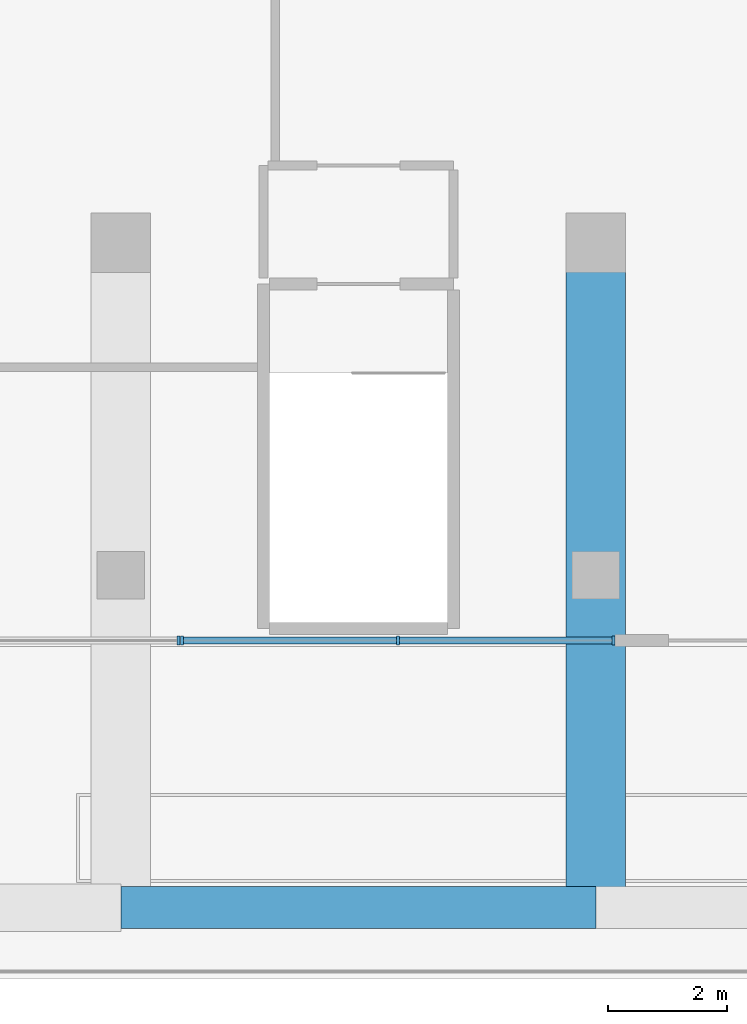
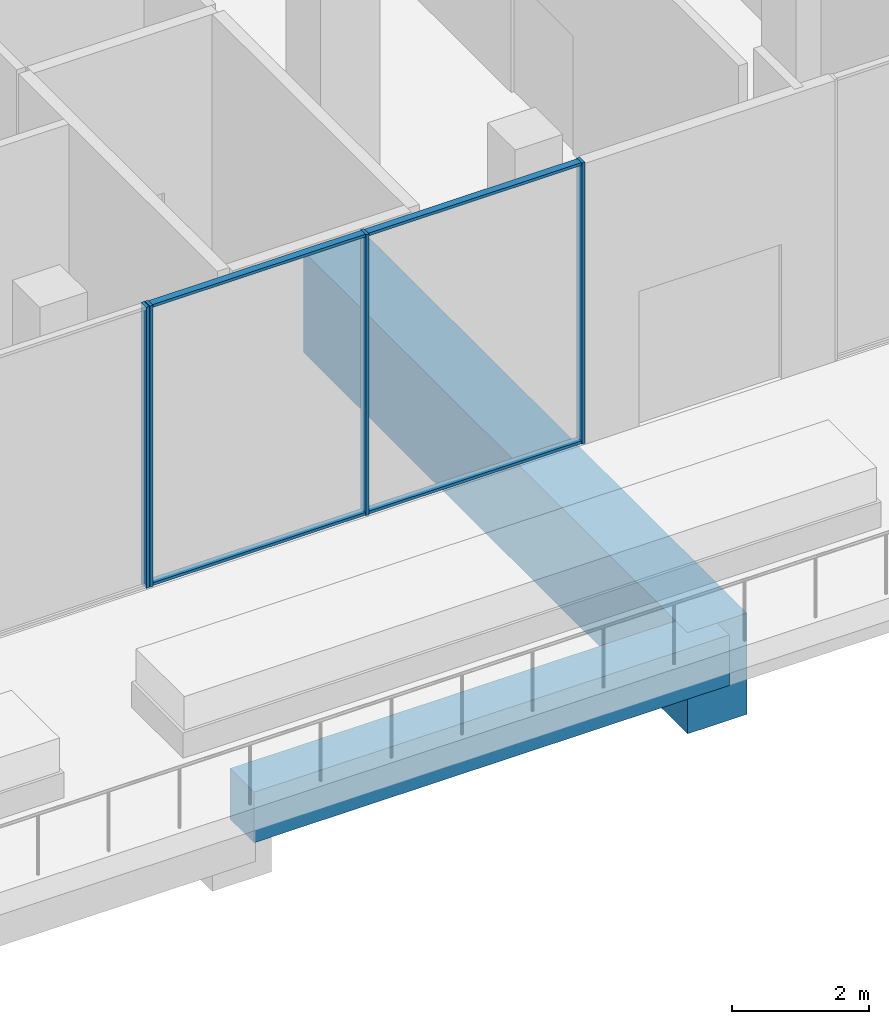
# One storey, part 3 of 29: 8 members, 2 beams, 2 elements without a shape of their own.
"""IFC4 building model written with IfcOpenShell, lengths in metres."""

from ifc_helpers import new_model, si_unit, direction, frame, origin, origin_2d, place, context, subcontext, project, spatial, rectangle, extrude, material, layer, layer_set, material_profile, profile_set, type_object, element, aggregate, save


model = new_model("IFC4")

# Units and contexts
model_context = context("Model", 3, precision=1e-05, world=origin(), true_north=direction((0.0, 1.0)))
body_context = subcontext(model_context, "Body", "Model", "MODEL_VIEW")
ifc_project = project(units=[si_unit("LENGTHUNIT", "METRE"), si_unit("AREAUNIT", "SQUARE_METRE"), si_unit("VOLUMEUNIT", "CUBIC_METRE"), si_unit("PLANEANGLEUNIT", "RADIAN"), si_unit("MASSUNIT", "GRAM", prefix="KILO")], contexts=[model_context])

# Site, building, storey
site_placement = place(None, origin())
site = spatial("IfcSite", under=ifc_project, at=site_placement, CompositionType="ELEMENT")
building_placement = place(site_placement, origin())
building = spatial("IfcBuilding", under=site, at=building_placement, Name="Triada Interchange Tower", CompositionType="ELEMENT")
storey_placement = place(building_placement, frame((0.0, 0.0, 19.89990234375)))
storey = spatial("IfcBuildingStorey", under=building, at=storey_placement, Name="L03", CompositionType="ELEMENT", Elevation=19.89990234375)

# Curtain wall, member
ifc_material_1 = material(Name="Aluminium framed glazing", Category="aluminium")
ifc_layer = layer(ifc_material_1, 0.199951171875)
ifc_layer_set = layer_set([ifc_layer], Name="Curtain wall Retail shopfront")
curtain_wall_type = type_object("IfcCurtainWallType", Name="Curtain wall Retail shopfront", PredefinedType="NOTDEFINED", material=ifc_layer_set)
curtain_wall_1_placement = place(storey_placement, origin())
curtain_wall_1 = element("IfcCurtainWall", 1, at=curtain_wall_1_placement, inside=storey, type_object=curtain_wall_type, Name="Retail shopfront CW002 L03", PredefinedType="NOTDEFINED")
ifc_material_2 = material(Name="Aluminium", Category="aluminium")
ifc_material_profile_1 = material_profile(ifc_material_2, rectangle(XDim=0.14990234375, YDim=0.050048828125, at=origin_2d()), Name="Aluminium mullion")
ifc_profile_set_1 = profile_set([ifc_material_profile_1], Name="Aluminium")
member_type_1 = type_object("IfcMemberType", Name="Mullion Retail shopfront 150x50", PredefinedType="MULLION", material=ifc_profile_set_1)
member_1_placement = place(storey_placement, frame((-11.030029296875, -33.60009765625, 0.0), z_axis=(0.0, 0.0, 1.0), x_axis=(0.0, 1.0, 0.0)))
member_1 = element("IfcMember", 2, at=member_1_placement, type_object=member_type_1, Name="CW002 mullion 3", PredefinedType="MULLION", context=body_context, shape_type="SweptSolid", body=[
    extrude(rectangle(XDim=0.14990234375, YDim=0.050048828125, at=origin_2d()), origin(), (0.0, 0.0, 1.0), 5.0),
])
aggregate(curtain_wall_1, [member_1])

# Curtain wall, members
curtain_wall_2_placement = place(storey_placement, origin())
curtain_wall_2 = element("IfcCurtainWall", 3, at=curtain_wall_2_placement, inside=storey, type_object=curtain_wall_type, Name="Retail shopfront CW003 L03", PredefinedType="NOTDEFINED")
member_2_placement = place(storey_placement, frame((-10.969970703125, -33.60009765625, 0.0), z_axis=(0.0, 0.0, 1.0), x_axis=(0.0, 1.0, 0.0)))
member_2 = element("IfcMember", 4, at=member_2_placement, type_object=member_type_1, Name="CW003 mullion 1", PredefinedType="MULLION", context=body_context, shape_type="SweptSolid", body=[
    extrude(rectangle(XDim=0.14990234375, YDim=0.050048828125, at=origin_2d()), origin(), (0.0, 0.0, 1.0), 5.0),
])
member_3_placement = place(storey_placement, frame((-7.3349609375, -33.60009765625, 0.0), z_axis=(0.0, 0.0, 1.0), x_axis=(0.0, 1.0, 0.0)))
member_3 = element("IfcMember", 5, at=member_3_placement, type_object=member_type_1, Name="CW003 mullion 2", PredefinedType="MULLION", context=body_context, shape_type="SweptSolid", body=[
    extrude(rectangle(XDim=0.14990234375, YDim=0.050048828125, at=origin_2d()), origin(), (0.0, 0.0, 1.0), 5.0),
])
member_4_placement = place(storey_placement, frame((-3.699951171875, -33.60009765625, 0.0), z_axis=(0.0, 0.0, 1.0), x_axis=(0.0, 1.0, 0.0)))
member_4 = element("IfcMember", 6, at=member_4_placement, type_object=member_type_1, Name="CW003 mullion 3", PredefinedType="MULLION", context=body_context, shape_type="SweptSolid", body=[
    extrude(rectangle(XDim=0.14990234375, YDim=0.050048828125, at=origin_2d()), origin(), (0.0, 0.0, 1.0), 5.0),
])

# Beams
ifc_material_3 = material(Name="Concrete C40/50", Category="concrete")
ifc_material_profile_2 = material_profile(ifc_material_3, rectangle(XDim=0.699951171875, YDim=0.89990234375, at=origin_2d()), Name="RC 700x900")
ifc_profile_set_2 = profile_set([ifc_material_profile_2], Name="Concrete C40/50")
beam_type_1 = type_object("IfcBeamType", Name="Terrace beam RC 700x900", PredefinedType="BEAM", material=ifc_profile_set_2)
beam_1_placement = place(storey_placement, frame((-12.0, -38.10009765625, -0.849853515625), z_axis=(1.0, 0.0, 0.0), x_axis=(0.0, 1.0, 0.0)))
element("IfcBeam", 7, at=beam_1_placement, inside=storey, type_object=beam_type_1, Name="Terrace beam TE06 L03", PredefinedType="BEAM", context=body_context, shape_type="SweptSolid", body=[
    extrude(rectangle(XDim=0.699951171875, YDim=0.89990234375, at=origin_2d()), origin(), (0.0, 0.0, 1.0), 8.0),
])
ifc_material_4 = material(Name="Concrete C50/60", Category="concrete")
ifc_material_profile_3 = material_profile(ifc_material_4, rectangle(XDim=1.0, YDim=1.800048828125, at=origin_2d()), Name="RC 1000x1800")
ifc_profile_set_3 = profile_set([ifc_material_profile_3], Name="Concrete C50/60")
beam_type_2 = type_object("IfcBeamType", Name="Transfer girder RC 1000x1800", PredefinedType="BEAM", material=ifc_profile_set_3)
beam_2_placement = place(storey_placement, frame((-4.0, -38.10009765625, -1.2998046875), z_axis=(0.0, 1.0, 0.0), x_axis=(-1.0, 0.0, 0.0)))
element("IfcBeam", 8, at=beam_2_placement, inside=storey, type_object=beam_type_2, Name="Transfer girder TG05 L03", PredefinedType="BEAM", context=body_context, shape_type="SweptSolid", body=[
    extrude(rectangle(XDim=1.0, YDim=1.800048828125, at=origin_2d()), origin(), (0.0, 0.0, 1.0), 11.2001953125),
])

# Member
ifc_material_profile_4 = material_profile(ifc_material_2, rectangle(XDim=0.1201171875, YDim=0.050048828125, at=origin_2d()), Name="Aluminium transom")
ifc_profile_set_4 = profile_set([ifc_material_profile_4], Name="Aluminium")
member_type_2 = type_object("IfcMemberType", Name="Transom Retail shopfront 120x50", PredefinedType="USERDEFINED", material=ifc_profile_set_4)
member_5_placement = place(storey_placement, frame((-10.945068359375, -33.60009765625, 0.025146484375), z_axis=(1.0, 0.0, 0.0), x_axis=(0.0, 1.0, 0.0)))
member_5 = element("IfcMember", 9, at=member_5_placement, type_object=member_type_2, Name="CW003 transom 1.1", ObjectType="TRANSOM", PredefinedType="USERDEFINED", context=body_context, shape_type="SweptSolid", body=[
    extrude(rectangle(XDim=0.1201171875, YDim=0.050048828125, at=origin_2d()), origin(), (0.0, 0.0, 1.0), 3.5849609375),
])

member_6_placement = place(storey_placement, frame((-10.945068359375, -33.60009765625, 4.97509765625), z_axis=(1.0, 0.0, 0.0), x_axis=(0.0, 1.0, 0.0)))
member_6 = element("IfcMember", 10, at=member_6_placement, type_object=member_type_2, Name="CW003 transom 1.2", ObjectType="TRANSOM", PredefinedType="USERDEFINED", context=body_context, shape_type="SweptSolid", body=[
    extrude(rectangle(XDim=0.1201171875, YDim=0.050048828125, at=origin_2d()), origin(), (0.0, 0.0, 1.0), 3.5849609375),
])

member_7_placement = place(storey_placement, frame((-7.31005859375, -33.60009765625, 0.025146484375), z_axis=(1.0, 0.0, 0.0), x_axis=(0.0, 1.0, 0.0)))
member_7 = element("IfcMember", 11, at=member_7_placement, type_object=member_type_2, Name="CW003 transom 2.1", ObjectType="TRANSOM", PredefinedType="USERDEFINED", context=body_context, shape_type="SweptSolid", body=[
    extrude(rectangle(XDim=0.1201171875, YDim=0.050048828125, at=origin_2d()), origin(), (0.0, 0.0, 1.0), 3.5849609375),
])

member_8_placement = place(storey_placement, frame((-7.31005859375, -33.60009765625, 4.97509765625), z_axis=(1.0, 0.0, 0.0), x_axis=(0.0, 1.0, 0.0)))
member_8 = element("IfcMember", 12, at=member_8_placement, type_object=member_type_2, Name="CW003 transom 2.2", ObjectType="TRANSOM", PredefinedType="USERDEFINED", context=body_context, shape_type="SweptSolid", body=[
    extrude(rectangle(XDim=0.1201171875, YDim=0.050048828125, at=origin_2d()), origin(), (0.0, 0.0, 1.0), 3.5849609375),
])

aggregate(curtain_wall_2, [member_2, member_3, member_4, member_5, member_6, member_7, member_8])

save(model, "model.ifc")
